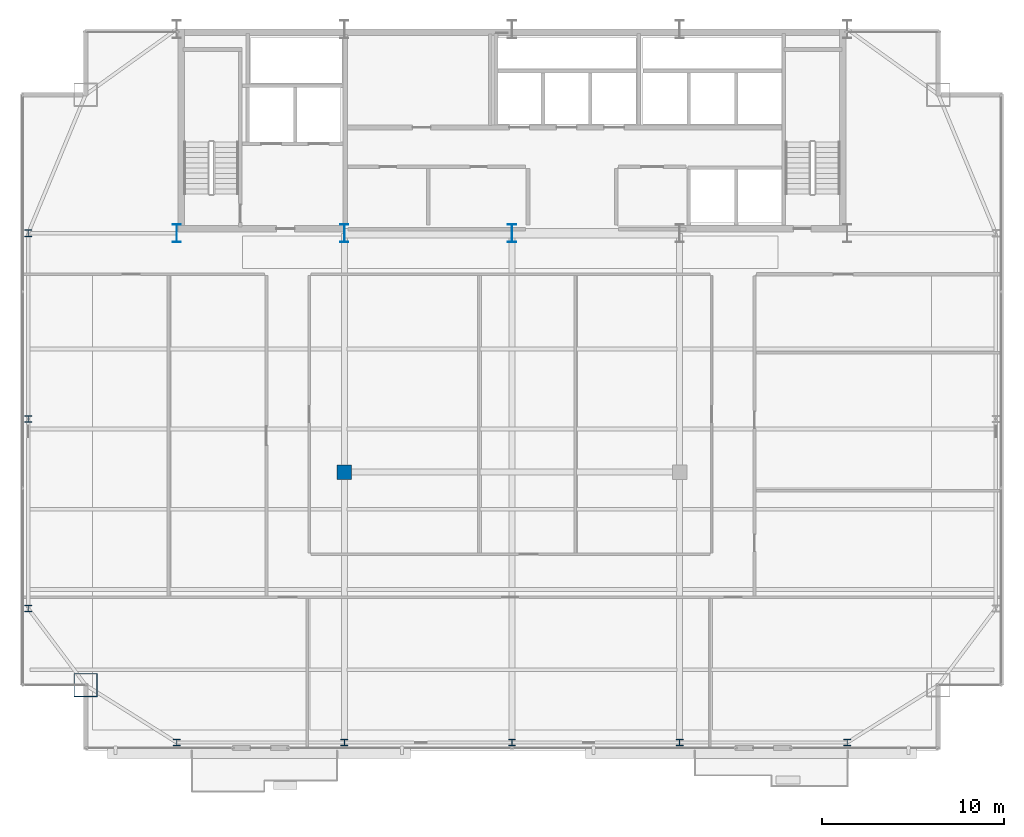
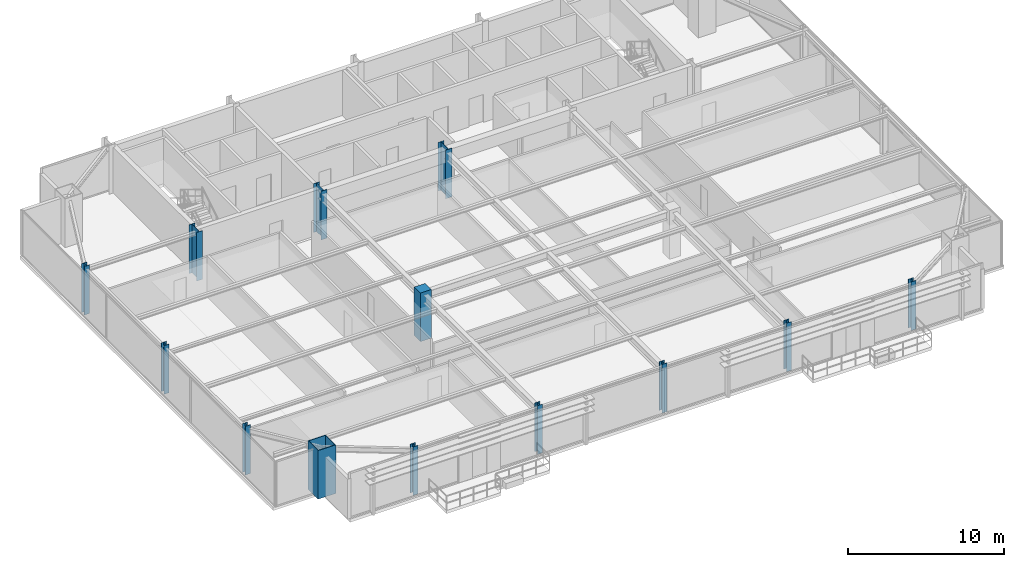
# One storey, part 1 of 31: 13 columns.
"""IFC4 building model written with IfcOpenShell, lengths in metres."""

from ifc_helpers import new_model, si_unit, direction, frame, origin, origin_2d, place, context, subcontext, project, spatial, rectangle, hollow_rectangle, i_section, extrude, source, transform, mapped, material, material_profile, profile_set, type_object, type_shapes, element, save


model = new_model("IFC4")

# Units and contexts
model_context = context("Model", 3, precision=1e-05, world=origin(), true_north=direction((0.0, 1.0)))
body_context = subcontext(model_context, "Body", "Model", "MODEL_VIEW")
ifc_project = project(units=[si_unit("LENGTHUNIT", "METRE"), si_unit("AREAUNIT", "SQUARE_METRE"), si_unit("VOLUMEUNIT", "CUBIC_METRE"), si_unit("PLANEANGLEUNIT", "RADIAN"), si_unit("MASSUNIT", "GRAM", prefix="KILO")], contexts=[model_context])

# Site, building, storey
site_placement = place(None, origin())
site = spatial("IfcSite", under=ifc_project, at=site_placement, CompositionType="ELEMENT")
building_placement = place(site_placement, origin())
building = spatial("IfcBuilding", under=site, at=building_placement, Name="Varnel Quay Broadcast Tower", CompositionType="ELEMENT")
storey_placement = place(building_placement, frame((0.0, 0.0, 183.800048828125)))
storey = spatial("IfcBuildingStorey", under=building, at=storey_placement, Name="L45", CompositionType="ELEMENT", Elevation=183.800048828125)

# Columns
ifc_material_1 = material(Name="Structural Steel CSA G40.21 350WT", Category="steel")
ifc_material_profile_1 = material_profile(ifc_material_1, i_section(OverallWidth=0.449951171875, OverallDepth=1.0, WebThickness=0.01611328125, FlangeThickness=0.030029296875, FilletRadius=0.01611328125, at=origin_2d()), Name="WWF1000X362")
ifc_profile_set_1 = profile_set([ifc_material_profile_1], Name="Structural Steel CSA G40.21 350WT")
column_type_1 = type_object("IfcColumnType", Name="Col_WWF1000X362", PredefinedType="COLUMN", material=ifc_profile_set_1)
shared_shape_1 = source(origin(), body_context, "Body", "SweptSolid", [
    extrude(i_section(OverallWidth=0.449951171875, OverallDepth=1.0, WebThickness=0.01611328125, FlangeThickness=0.030029296875, FilletRadius=0.01611328125, at=origin_2d()), origin(), (0.0, 0.0, 1.0), 3.800048828125),
])
type_shapes(column_type_1, [shared_shape_1])
for number, where, z_axis, x_axis, name in (
    (1, (15.60009765625, 35.60009765625, 0.0), (0.0, 0.0, 1.0), (1.0, 0.0, 0.0), "L45 Column CC-S1"),
    (2, (24.800048828125, 35.60009765625, 0.0), (0.0, 0.0, 1.0), (1.0, 0.0, 0.0), "L45 Column CC-S2"),
    (3, (34.0, 35.60009765625, 0.0), (0.0, 0.0, 1.0), (1.0, 0.0, 0.0), "L45 Column CC-S3"),
):
    element("IfcColumn", number, at=place(storey_placement, frame(where, z_axis=z_axis, x_axis=x_axis)), inside=storey, type_object=column_type_1, Name=name, PredefinedType="COLUMN", context=body_context, shape_type="MappedRepresentation", body=[
        mapped(shared_shape_1, transform((0.0, 0.0, 0.0), x_axis=(1.0, 0.0, 0.0), y_axis=(0.0, 1.0, 0.0), z_axis=(0.0, 0.0, 1.0), scale=1.0)),
    ])
ifc_material_profile_2 = material_profile(ifc_material_1, hollow_rectangle(XDim=1.300048828125, YDim=1.300048828125, WallThickness=0.050048828125, at=origin_2d()), Name="BOX1300X1300X50")
ifc_profile_set_2 = profile_set([ifc_material_profile_2], Name="Structural Steel CSA G40.21 350WT")
column_type_2 = type_object("IfcColumnType", Name="Col_BOX1300X1300X50", PredefinedType="COLUMN", material=ifc_profile_set_2)
shared_shape_2 = source(origin(), body_context, "Body", "SweptSolid", [
    extrude(hollow_rectangle(XDim=1.300048828125, YDim=1.300048828125, WallThickness=0.050048828125, at=origin_2d()), origin(), (0.0, 0.0, 1.0), 3.800048828125),
])
type_shapes(column_type_2, [shared_shape_2])
column_1_placement = place(storey_placement, frame((10.60009765625, 10.800048828125, 0.0), z_axis=(0.0, 0.0, 1.0), x_axis=(1.0, 0.0, 0.0)))
element("IfcColumn", 4, at=column_1_placement, inside=storey, type_object=column_type_2, Name="L45 Column MC-SW", PredefinedType="COLUMN", context=body_context, shape_type="MappedRepresentation", body=[
    mapped(shared_shape_2, transform((0.0, 0.0, 0.0), x_axis=(1.0, 0.0, 0.0), y_axis=(0.0, 1.0, 0.0), z_axis=(0.0, 0.0, 1.0), scale=1.0)),
])
ifc_material_2 = material(Name="Structural Steel CSA G40.21 350W", Category="steel")
ifc_material_profile_3 = material_profile(ifc_material_2, i_section(OverallWidth=0.3740234375, OverallDepth=0.3720703125, WebThickness=0.016357421875, FlangeThickness=0.026123046875, FilletRadius=0.01611328125, at=origin_2d()), Name="W360X196")
ifc_profile_set_3 = profile_set([ifc_material_profile_3], Name="Structural Steel CSA G40.21 350W")
column_type_3 = type_object("IfcColumnType", Name="Col_W360X196", PredefinedType="COLUMN", material=ifc_profile_set_3)
shared_shape_3 = source(origin(), body_context, "Body", "SweptSolid", [
    extrude(i_section(OverallWidth=0.3740234375, OverallDepth=0.3720703125, WebThickness=0.016357421875, FlangeThickness=0.026123046875, FilletRadius=0.01611328125, at=origin_2d()), origin(), (0.0, 0.0, 1.0), 3.800048828125),
])
type_shapes(column_type_3, [shared_shape_3])
for number, where, z_axis, x_axis, name in (
    (5, (15.60009765625, 7.64990234375, 0.0), (0.0, 0.0, 1.0), (1.0, 0.0, 0.0), "L45 Column TC-S1"),
    (6, (24.800048828125, 7.64990234375, 0.0), (0.0, 0.0, 1.0), (1.0, 0.0, 0.0), "L45 Column TC-S2"),
    (7, (34.0, 7.64990234375, 0.0), (0.0, 0.0, 1.0), (1.0, 0.0, 0.0), "L45 Column TC-S3"),
    (8, (43.199951171875, 7.64990234375, 0.0), (0.0, 0.0, 1.0), (1.0, 0.0, 0.0), "L45 Column TC-S4"),
    (9, (52.39990234375, 7.64990234375, 0.0), (0.0, 0.0, 1.0), (1.0, 0.0, 0.0), "L45 Column TC-S5"),
    (10, (7.449951171875, 15.0, 0.0), (0.0, 0.0, 1.0), (1.0, 0.0, 0.0), "L45 Column TC-W1"),
    (11, (7.449951171875, 25.39990234375, 0.0), (0.0, 0.0, 1.0), (1.0, 0.0, 0.0), "L45 Column TC-W2"),
    (12, (7.449951171875, 35.60009765625, 0.0), (0.0, 0.0, 1.0), (1.0, 0.0, 0.0), "L45 Column TC-W3"),
):
    element("IfcColumn", number, at=place(storey_placement, frame(where, z_axis=z_axis, x_axis=x_axis)), inside=storey, type_object=column_type_3, Name=name, PredefinedType="COLUMN", context=body_context, shape_type="MappedRepresentation", body=[
        mapped(shared_shape_3, transform((0.0, 0.0, 0.0), x_axis=(1.0, 0.0, 0.0), y_axis=(0.0, 1.0, 0.0), z_axis=(0.0, 0.0, 1.0), scale=1.0)),
    ])
ifc_material_3 = material(Name="Concrete CSA A23.3 C50/60", Category="concrete")
ifc_material_profile_4 = material_profile(ifc_material_3, rectangle(XDim=0.800048828125, YDim=0.800048828125, at=origin_2d()), Name="RC800X800")
ifc_profile_set_4 = profile_set([ifc_material_profile_4], Name="Concrete CSA A23.3 C50/60")
column_type_4 = type_object("IfcColumnType", Name="Col_RC800X800", PredefinedType="COLUMN", material=ifc_profile_set_4)
shared_shape_4 = source(origin(), body_context, "Body", "SweptSolid", [
    extrude(rectangle(XDim=0.800048828125, YDim=0.800048828125, at=origin_2d()), origin(), (0.0, 0.0, 1.0), 3.800048828125),
])
type_shapes(column_type_4, [shared_shape_4])
column_2_placement = place(storey_placement, frame((24.800048828125, 22.489990234375, 0.0), z_axis=(0.0, 0.0, 1.0), x_axis=(1.0, 0.0, 0.0)))
element("IfcColumn", 13, at=column_2_placement, inside=storey, type_object=column_type_4, Name="L45 Column IC-01", PredefinedType="COLUMN", context=body_context, shape_type="MappedRepresentation", body=[
    mapped(shared_shape_4, transform((0.0, 0.0, 0.0), x_axis=(1.0, 0.0, 0.0), y_axis=(0.0, 1.0, 0.0), z_axis=(0.0, 0.0, 1.0), scale=1.0)),
])

save(model, "model.ifc")
